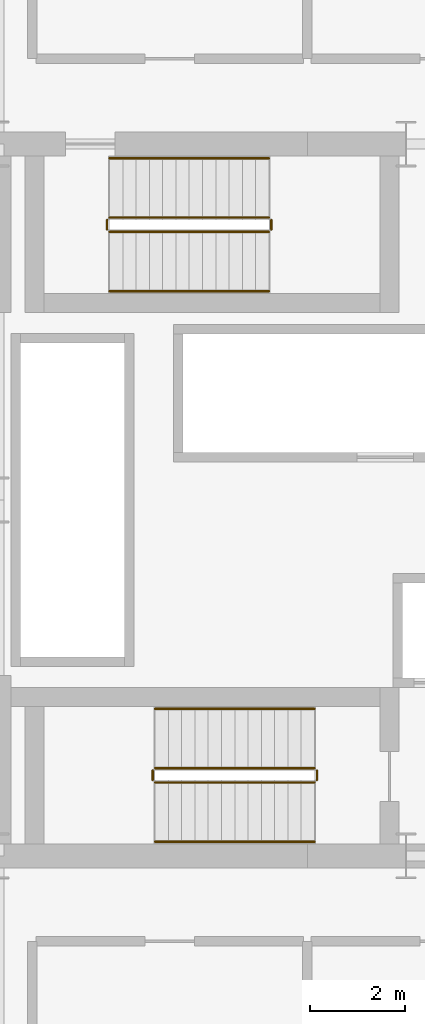
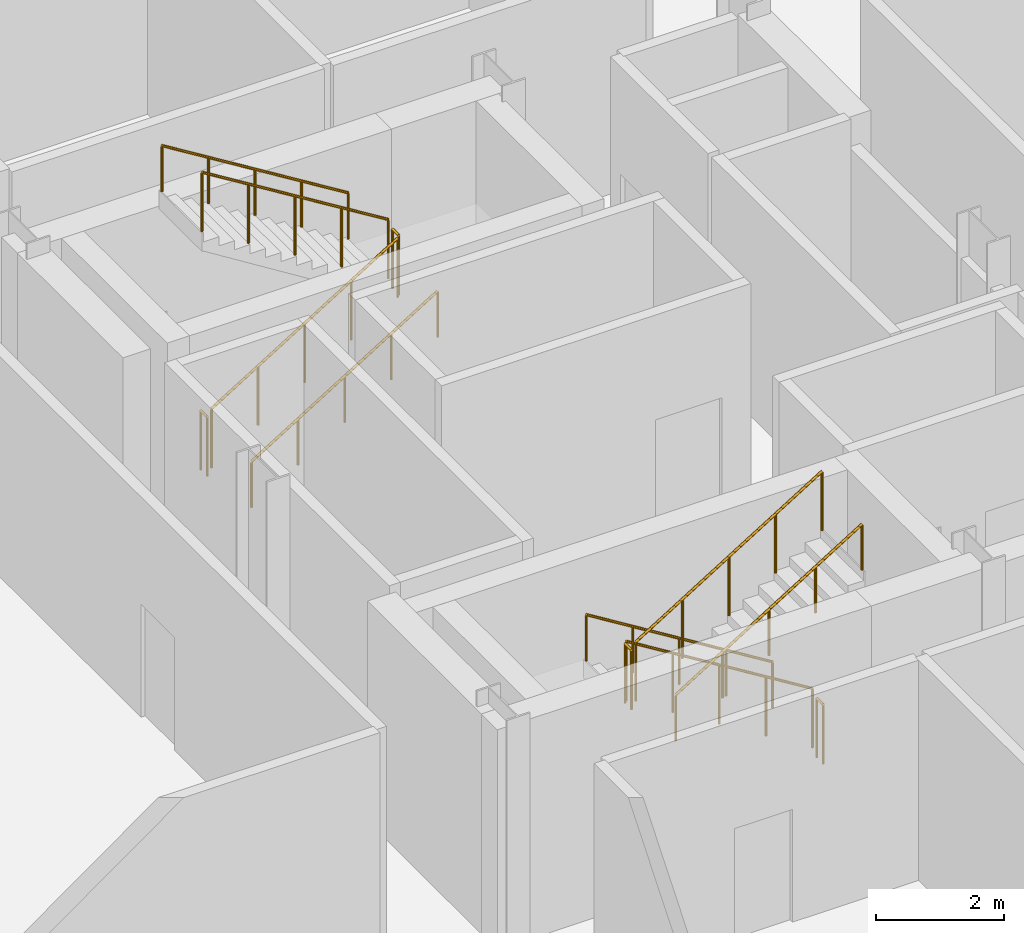
# One storey, part 21 of 22: 12 railings.
"""IFC4 building model written with IfcOpenShell, lengths in metres."""

from ifc_helpers import new_model, si_unit, direction, frame, origin, origin_2d, place, context, subcontext, project, spatial, circle, extrude, material, type_object, element, save


model = new_model("IFC4")

# Units and contexts
model_context = context("Model", 3, precision=1e-05, world=origin(), true_north=direction((0.0, 1.0)))
body_context = subcontext(model_context, "Body", "Model", "MODEL_VIEW")
ifc_project = project(units=[si_unit("LENGTHUNIT", "METRE"), si_unit("AREAUNIT", "SQUARE_METRE"), si_unit("VOLUMEUNIT", "CUBIC_METRE"), si_unit("PLANEANGLEUNIT", "RADIAN"), si_unit("MASSUNIT", "GRAM", prefix="KILO")], contexts=[model_context])

# Site, building, storey
site_placement = place(None, origin())
site = spatial("IfcSite", under=ifc_project, at=site_placement, CompositionType="ELEMENT")
building_placement = place(site_placement, origin())
building = spatial("IfcBuilding", under=site, at=building_placement, Name="Barlavira Tower and Art Museum", CompositionType="ELEMENT")
storey_placement = place(building_placement, frame((0.0, 0.0, 120.60009765625)))
storey = spatial("IfcBuildingStorey", under=building, at=storey_placement, Name="L30", CompositionType="ELEMENT", Elevation=120.60009765625)

# Railings
ifc_material = material(Name="Brushed stainless steel", Category="steel")
railing_type_1 = type_object("IfcRailingType", Name="Interior Void and Landing Guard Railing 1150", PredefinedType="GUARDRAIL", material=ifc_material)
railing_1_placement = place(storey_placement, frame((0.14990234375, -5.64990234375, 0.173095703125)))
element("IfcRailing", 1, at=railing_1_placement, inside=storey, type_object=railing_type_1, Name="L30 ST-T1 stair guard 1", PredefinedType="GUARDRAIL", context=body_context, shape_type="SweptSolid", body=[
    extrude(circle(Radius=0.02392578125, at=origin_2d()), frame((0.0, 0.0, 1.1259765625), z_axis=(-0.850606129759, 0.0, 0.525803396734), x_axis=(0.0, -1.0, 0.0)), (0.0, 0.0, 1.0), 3.949951171875),
    extrude(circle(Radius=0.02099609375, at=origin_2d()), origin(), (0.0, 0.0, 1.0), 1.101806640625),
    extrude(circle(Radius=0.02099609375, at=origin_2d()), frame((-0.83984375, 0.0, 0.519287109375)), (0.0, 0.0, 1.0), 1.101806640625),
    extrude(circle(Radius=0.02099609375, at=origin_2d()), frame((-1.679931640625, 0.0, 1.03857421875)), (0.0, 0.0, 1.0), 1.101806640625),
    extrude(circle(Radius=0.02099609375, at=origin_2d()), frame((-2.52001953125, 0.0, 1.5576171875)), (0.0, 0.0, 1.0), 1.101806640625),
    extrude(circle(Radius=0.02099609375, at=origin_2d()), frame((-3.35986328125, 0.0, 2.076904296875)), (0.0, 0.0, 1.0), 1.101806640625),
])
railing_2_placement = place(storey_placement, frame((-3.260009765625, -5.699951171875, 2.25)))
element("IfcRailing", 2, at=railing_2_placement, inside=storey, type_object=railing_type_1, Name="L30 ST-T1 stair guard 2", PredefinedType="GUARDRAIL", context=body_context, shape_type="SweptSolid", body=[
    extrude(circle(Radius=0.02392578125, at=origin_2d()), frame((0.0, 0.0, 1.1259765625), z_axis=(0.0, -1.0, 0.0), x_axis=(1.0, 0.0, 0.0)), (0.0, 0.0, 1.0), 0.199951171875),
    extrude(circle(Radius=0.02099609375, at=origin_2d()), origin(), (0.0, 0.0, 1.0), 1.101806640625),
    extrude(circle(Radius=0.02099609375, at=origin_2d()), frame((0.0, -0.199951171875, 0.0)), (0.0, 0.0, 1.0), 1.101806640625),
])
railing_3_placement = place(storey_placement, frame((-3.2099609375, -5.949951171875, 2.423095703125)))
element("IfcRailing", 3, at=railing_3_placement, inside=storey, type_object=railing_type_1, Name="L30 ST-T1 stair guard 3", PredefinedType="GUARDRAIL", context=body_context, shape_type="SweptSolid", body=[
    extrude(circle(Radius=0.02392578125, at=origin_2d()), frame((0.0, 0.0, 1.1259765625), z_axis=(0.850606129759, 0.0, 0.525803396734), x_axis=(0.0, 1.0, 0.0)), (0.0, 0.0, 1.0), 3.949951171875),
    extrude(circle(Radius=0.02099609375, at=origin_2d()), origin(), (0.0, 0.0, 1.0), 1.101806640625),
    extrude(circle(Radius=0.02099609375, at=origin_2d()), frame((0.83984375, 0.0, 0.519287109375)), (0.0, 0.0, 1.0), 1.101806640625),
    extrude(circle(Radius=0.02099609375, at=origin_2d()), frame((1.679931640625, 0.0, 1.03857421875)), (0.0, 0.0, 1.0), 1.101806640625),
    extrude(circle(Radius=0.02099609375, at=origin_2d()), frame((2.52001953125, 0.0, 1.5576171875)), (0.0, 0.0, 1.0), 1.101806640625),
    extrude(circle(Radius=0.02099609375, at=origin_2d()), frame((3.35986328125, 0.0, 2.076904296875)), (0.0, 0.0, 1.0), 1.101806640625),
])
railing_4_placement = place(storey_placement, frame((0.199951171875, -5.699951171875, 0.0)))
element("IfcRailing", 4, at=railing_4_placement, inside=storey, type_object=railing_type_1, Name="L30 ST-T1 stair guard 4", PredefinedType="GUARDRAIL", context=body_context, shape_type="SweptSolid", body=[
    extrude(circle(Radius=0.02392578125, at=origin_2d()), frame((0.0, 0.0, 1.1259765625), z_axis=(0.0, -1.0, 0.0), x_axis=(1.0, 0.0, 0.0)), (0.0, 0.0, 1.0), 0.199951171875),
    extrude(circle(Radius=0.02099609375, at=origin_2d()), origin(), (0.0, 0.0, 1.0), 1.101806640625),
    extrude(circle(Radius=0.02099609375, at=origin_2d()), frame((0.0, -0.199951171875, 0.0)), (0.0, 0.0, 1.0), 1.101806640625),
])
railing_5_placement = place(storey_placement, frame((-4.169921875, 5.64990234375, 0.173095703125)))
element("IfcRailing", 5, at=railing_5_placement, inside=storey, type_object=railing_type_1, Name="L30 ST-T2 stair guard 1", PredefinedType="GUARDRAIL", context=body_context, shape_type="SweptSolid", body=[
    extrude(circle(Radius=0.02392578125, at=origin_2d()), frame((0.0, 0.0, 1.1259765625), z_axis=(0.850606129759, 0.0, 0.525803396734), x_axis=(0.0, 1.0, 0.0)), (0.0, 0.0, 1.0), 3.949951171875),
    extrude(circle(Radius=0.02099609375, at=origin_2d()), origin(), (0.0, 0.0, 1.0), 1.101806640625),
    extrude(circle(Radius=0.02099609375, at=origin_2d()), frame((0.83984375, 0.0, 0.519287109375)), (0.0, 0.0, 1.0), 1.101806640625),
    extrude(circle(Radius=0.02099609375, at=origin_2d()), frame((1.679931640625, 0.0, 1.03857421875)), (0.0, 0.0, 1.0), 1.101806640625),
    extrude(circle(Radius=0.02099609375, at=origin_2d()), frame((2.52001953125, 0.0, 1.5576171875)), (0.0, 0.0, 1.0), 1.101806640625),
    extrude(circle(Radius=0.02099609375, at=origin_2d()), frame((3.35986328125, 0.0, 2.076904296875)), (0.0, 0.0, 1.0), 1.101806640625),
])
railing_6_placement = place(storey_placement, frame((-0.760009765625, 5.699951171875, 2.25)))
element("IfcRailing", 6, at=railing_6_placement, inside=storey, type_object=railing_type_1, Name="L30 ST-T2 stair guard 2", PredefinedType="GUARDRAIL", context=body_context, shape_type="SweptSolid", body=[
    extrude(circle(Radius=0.02392578125, at=origin_2d()), frame((0.0, 0.0, 1.1259765625), z_axis=(0.0, 1.0, 0.0), x_axis=(-1.0, 0.0, 0.0)), (0.0, 0.0, 1.0), 0.199951171875),
    extrude(circle(Radius=0.02099609375, at=origin_2d()), origin(), (0.0, 0.0, 1.0), 1.101806640625),
    extrude(circle(Radius=0.02099609375, at=origin_2d()), frame((0.0, 0.199951171875, 0.0)), (0.0, 0.0, 1.0), 1.101806640625),
])
railing_7_placement = place(storey_placement, frame((-0.81005859375, 5.949951171875, 2.423095703125)))
element("IfcRailing", 7, at=railing_7_placement, inside=storey, type_object=railing_type_1, Name="L30 ST-T2 stair guard 3", PredefinedType="GUARDRAIL", context=body_context, shape_type="SweptSolid", body=[
    extrude(circle(Radius=0.02392578125, at=origin_2d()), frame((0.0, 0.0, 1.1259765625), z_axis=(-0.850606129759, 0.0, 0.525803396734), x_axis=(0.0, -1.0, 0.0)), (0.0, 0.0, 1.0), 3.949951171875),
    extrude(circle(Radius=0.02099609375, at=origin_2d()), origin(), (0.0, 0.0, 1.0), 1.101806640625),
    extrude(circle(Radius=0.02099609375, at=origin_2d()), frame((-0.83984375, 0.0, 0.519287109375)), (0.0, 0.0, 1.0), 1.101806640625),
    extrude(circle(Radius=0.02099609375, at=origin_2d()), frame((-1.679931640625, 0.0, 1.03857421875)), (0.0, 0.0, 1.0), 1.101806640625),
    extrude(circle(Radius=0.02099609375, at=origin_2d()), frame((-2.52001953125, 0.0, 1.5576171875)), (0.0, 0.0, 1.0), 1.101806640625),
    extrude(circle(Radius=0.02099609375, at=origin_2d()), frame((-3.35986328125, 0.0, 2.076904296875)), (0.0, 0.0, 1.0), 1.101806640625),
])
railing_8_placement = place(storey_placement, frame((-4.219970703125, 5.699951171875, 0.0)))
element("IfcRailing", 8, at=railing_8_placement, inside=storey, type_object=railing_type_1, Name="L30 ST-T2 stair guard 4", PredefinedType="GUARDRAIL", context=body_context, shape_type="SweptSolid", body=[
    extrude(circle(Radius=0.02392578125, at=origin_2d()), frame((0.0, 0.0, 1.1259765625), z_axis=(0.0, 1.0, 0.0), x_axis=(-1.0, 0.0, 0.0)), (0.0, 0.0, 1.0), 0.199951171875),
    extrude(circle(Radius=0.02099609375, at=origin_2d()), origin(), (0.0, 0.0, 1.0), 1.101806640625),
    extrude(circle(Radius=0.02099609375, at=origin_2d()), frame((0.0, 0.199951171875, 0.0)), (0.0, 0.0, 1.0), 1.101806640625),
])
railing_type_2 = type_object("IfcRailingType", Name="Stair Pitch Tubular Steel Handrail 920", PredefinedType="HANDRAIL", material=ifc_material)
railing_9_placement = place(storey_placement, frame((0.14990234375, -4.39990234375, 0.173095703125)))
element("IfcRailing", 9, at=railing_9_placement, inside=storey, type_object=railing_type_2, Name="L30 ST-T1 stair handrail 1", PredefinedType="HANDRAIL", context=body_context, shape_type="SweptSolid", body=[
    extrude(circle(Radius=0.02392578125, at=origin_2d()), frame((0.0, 0.0, 0.8759765625), z_axis=(-0.850606129759, 0.0, 0.525803396734), x_axis=(0.0, -1.0, 0.0)), (0.0, 0.0, 1.0), 3.949951171875),
    extrude(circle(Radius=0.02099609375, at=origin_2d()), origin(), (0.0, 0.0, 1.0), 0.851806640625),
    extrude(circle(Radius=0.02099609375, at=origin_2d()), frame((-0.83984375, 0.0, 0.519287109375)), (0.0, 0.0, 1.0), 0.851806640625),
    extrude(circle(Radius=0.02099609375, at=origin_2d()), frame((-1.679931640625, 0.0, 1.03857421875)), (0.0, 0.0, 1.0), 0.851806640625),
    extrude(circle(Radius=0.02099609375, at=origin_2d()), frame((-2.52001953125, 0.0, 1.5576171875)), (0.0, 0.0, 1.0), 0.851806640625),
    extrude(circle(Radius=0.02099609375, at=origin_2d()), frame((-3.35986328125, 0.0, 2.076904296875)), (0.0, 0.0, 1.0), 0.851806640625),
])
for number, where, name in (
    (10, (-3.2099609375, -7.199951171875, 2.423095703125), "L30 ST-T1 stair handrail 2"),
    (11, (-4.169921875, 4.39990234375, 0.173095703125), "L30 ST-T2 stair handrail 1"),
):
    element("IfcRailing", number, at=place(storey_placement, frame(where)), inside=storey, type_object=railing_type_2, Name=name, PredefinedType="HANDRAIL", context=body_context, shape_type="SweptSolid", body=[
        extrude(circle(Radius=0.02392578125, at=origin_2d()), frame((0.0, 0.0, 0.8759765625), z_axis=(0.850606129759, 0.0, 0.525803396734), x_axis=(0.0, 1.0, 0.0)), (0.0, 0.0, 1.0), 3.949951171875),
        extrude(circle(Radius=0.02099609375, at=origin_2d()), origin(), (0.0, 0.0, 1.0), 0.851806640625),
        extrude(circle(Radius=0.02099609375, at=origin_2d()), frame((0.83984375, 0.0, 0.519287109375)), (0.0, 0.0, 1.0), 0.851806640625),
        extrude(circle(Radius=0.02099609375, at=origin_2d()), frame((1.679931640625, 0.0, 1.03857421875)), (0.0, 0.0, 1.0), 0.851806640625),
        extrude(circle(Radius=0.02099609375, at=origin_2d()), frame((2.52001953125, 0.0, 1.5576171875)), (0.0, 0.0, 1.0), 0.851806640625),
        extrude(circle(Radius=0.02099609375, at=origin_2d()), frame((3.35986328125, 0.0, 2.076904296875)), (0.0, 0.0, 1.0), 0.851806640625),
    ])
railing_10_placement = place(storey_placement, frame((-0.81005859375, 7.199951171875, 2.423095703125)))
element("IfcRailing", 12, at=railing_10_placement, inside=storey, type_object=railing_type_2, Name="L30 ST-T2 stair handrail 2", PredefinedType="HANDRAIL", context=body_context, shape_type="SweptSolid", body=[
    extrude(circle(Radius=0.02392578125, at=origin_2d()), frame((0.0, 0.0, 0.8759765625), z_axis=(-0.850606129759, 0.0, 0.525803396734), x_axis=(0.0, -1.0, 0.0)), (0.0, 0.0, 1.0), 3.949951171875),
    extrude(circle(Radius=0.02099609375, at=origin_2d()), origin(), (0.0, 0.0, 1.0), 0.851806640625),
    extrude(circle(Radius=0.02099609375, at=origin_2d()), frame((-0.83984375, 0.0, 0.519287109375)), (0.0, 0.0, 1.0), 0.851806640625),
    extrude(circle(Radius=0.02099609375, at=origin_2d()), frame((-1.679931640625, 0.0, 1.03857421875)), (0.0, 0.0, 1.0), 0.851806640625),
    extrude(circle(Radius=0.02099609375, at=origin_2d()), frame((-2.52001953125, 0.0, 1.5576171875)), (0.0, 0.0, 1.0), 0.851806640625),
    extrude(circle(Radius=0.02099609375, at=origin_2d()), frame((-3.35986328125, 0.0, 2.076904296875)), (0.0, 0.0, 1.0), 0.851806640625),
])

save(model, "model.ifc")
